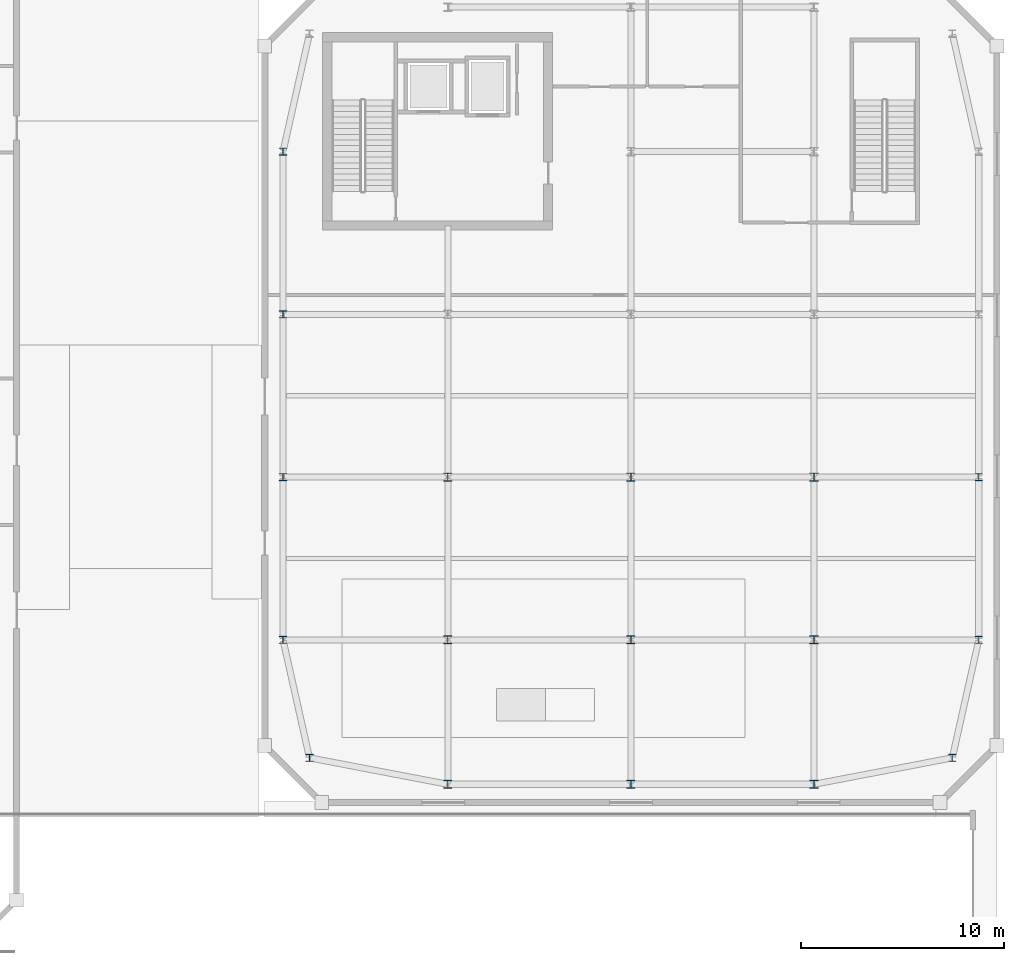
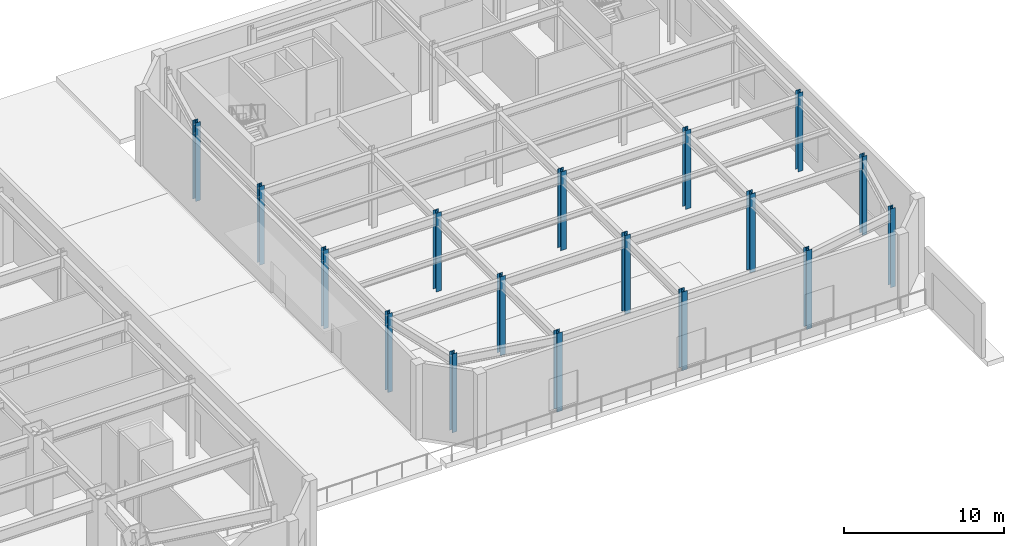
# One storey, part 6 of 23: 17 columns.
"""IFC4 building model written with IfcOpenShell, lengths in metres."""

import ifcopenshell
import ifcopenshell.guid

model = None  # the IFC model being written
_history = None  # IfcOwnerHistory: only IFC2X3 demands one
_inside = {}  # id of a spatial element -> (the spatial element, [elements in it])
_under = {}  # id of a project, library or spatial element -> (it, [spatial elements below it])
_declared = {}  # id of a project -> (the project, [libraries it declares])
_typed = {}  # id of a type object -> (the type object, [elements of that type])
_made_of = {}  # id of a material, layer set ... -> (it, [elements and type objects made of it])


def new_model(schema):
    """Start an empty IFC model of exactly this schema.

    Asked for "IFC4X3", IfcOpenShell would pick the latest addendum, in which some entities
    have other attributes; the version numbers below select the first issue.
    IFC2X3 requires an IfcOwnerHistory on every rooted entity: one is made here for all.
    """
    global model, _history
    if schema == "IFC4X3":
        model = ifcopenshell.file(schema_version=(4, 3, 0, 0))
    else:
        model = ifcopenshell.file(schema=schema)
    _inside.clear()
    _under.clear()
    _declared.clear()
    _typed.clear()
    _made_of.clear()
    _history = None
    if model.schema == "IFC2X3":
        org = make("IfcOrganization", Name="unknown")
        user = make(
            "IfcPersonAndOrganization",
            ThePerson=make("IfcPerson", FamilyName="unknown"),
            TheOrganization=org,
        )
        app = make(
            "IfcApplication",
            ApplicationDeveloper=org,
            Version="unknown",
            ApplicationFullName="unknown",
            ApplicationIdentifier="unknown",
        )
        _history = make(
            "IfcOwnerHistory",
            OwningUser=user,
            OwningApplication=app,
            ChangeAction="ADDED",
            CreationDate=0,
        )
    return model


def make(cls, **values):
    """One entity of the class cls with the attributes given. An attribute that is None is left unset."""
    return model.create_entity(
        cls, **{name: value for name, value in values.items() if value is not None}
    )


def rooted(cls, **values):
    """An entity with a GlobalId (a new one), such as an element, a storey or a relation."""
    return make(cls, GlobalId=ifcopenshell.guid.new(), OwnerHistory=_history, **values)


def si_unit(unit_type, name, prefix=None):
    """IfcSIUnit, for example si_unit("LENGTHUNIT", "METRE", prefix="MILLI")."""
    return make("IfcSIUnit", UnitType=unit_type, Prefix=prefix, Name=name)


def assignment(units):
    """IfcUnitAssignment: the units of a project."""
    return None if units is None else make("IfcUnitAssignment", Units=units)


def point(xyz):
    """IfcCartesianPoint."""
    return None if xyz is None else make("IfcCartesianPoint", Coordinates=xyz)


def direction(xyz):
    """IfcDirection."""
    return None if xyz is None else make("IfcDirection", DirectionRatios=xyz)


def frame(location, z_axis=None, x_axis=None):
    """IfcAxis2Placement3D, a coordinate frame: its origin and axes. An axis left out is left unset."""
    return make(
        "IfcAxis2Placement3D",
        Location=point(location),
        Axis=direction(z_axis),
        RefDirection=direction(x_axis),
    )


def frame_2d(location, x_axis=None):
    """IfcAxis2Placement2D, a coordinate frame in the plane: its origin and x axis."""
    return make(
        "IfcAxis2Placement2D", Location=point(location), RefDirection=direction(x_axis)
    )


def origin():
    """The frame at (0, 0, 0) with its axes left unset."""
    return frame((0.0, 0.0, 0.0))


def origin_2d():
    """The frame at (0, 0) in the plane with its x axis left unset."""
    return frame_2d((0.0, 0.0))


def place(relative_to, where):
    """IfcLocalPlacement: puts the frame where relative to a parent placement (None: the world)."""
    return make(
        "IfcLocalPlacement", PlacementRelTo=relative_to, RelativePlacement=where
    )


def context(
    kind, dimensions, precision=None, world=None, true_north=None, identifier=None
):
    """IfcGeometricRepresentationContext, for example the 3D "Model" context."""
    return make(
        "IfcGeometricRepresentationContext",
        ContextIdentifier=identifier,
        ContextType=kind,
        CoordinateSpaceDimension=dimensions,
        Precision=precision,
        WorldCoordinateSystem=world,
        TrueNorth=true_north,
    )


def subcontext(parent, identifier, kind, view, scale=None):
    """IfcGeometricRepresentationSubContext, for example "Body" below "Model"."""
    return make(
        "IfcGeometricRepresentationSubContext",
        ContextIdentifier=identifier,
        ContextType=kind,
        ParentContext=parent,
        TargetScale=scale,
        TargetView=view,
    )


def project(units=None, contexts=None):
    """IfcProject with its units and contexts."""
    return rooted(
        "IfcProject",
        Name="project",
        RepresentationContexts=contexts,
        UnitsInContext=assignment(units),
    )


def spatial(cls, under=None, at=None, **own):
    """A site, building, storey or space (cls), placed at a placement, below another one or the project."""
    s = rooted(cls, ObjectPlacement=at, **own)
    if under is not None:
        _under.setdefault(under.id(), (under, []))[1].append(s)
    return s


def profile(cls, at=None, kind="AREA", **sizes):
    """A parametric profile (cls). Its sizes go by their IFC names, for example OverallWidth=200.0."""
    return make(cls, ProfileType=kind, Position=at, **sizes)


def i_section(**sizes):
    """IfcIShapeProfileDef."""
    return profile("IfcIShapeProfileDef", **sizes)


def extrude(swept, where, along, depth):
    """IfcExtrudedAreaSolid: the profile swept, set in the frame where, extruded along a direction by depth."""
    return make(
        "IfcExtrudedAreaSolid",
        SweptArea=swept,
        Position=where,
        ExtrudedDirection=direction(along),
        Depth=depth,
    )


def shape(context_of_items, identifier, shape_type, items):
    """IfcShapeRepresentation: the items that make up one representation, for example the "Body"."""
    return make(
        "IfcShapeRepresentation",
        ContextOfItems=context_of_items,
        RepresentationIdentifier=identifier,
        RepresentationType=shape_type,
        Items=items,
    )


def material(Name=None, Category=None):
    """IfcMaterial."""
    return make("IfcMaterial", Name=Name, Category=Category)


def material_profile(
    of_material, cross_section, Name=None, Category=None, Priority=None
):
    """IfcMaterialProfile: a cross section and its material."""
    return make(
        "IfcMaterialProfile",
        Name=Name,
        Material=of_material,
        Profile=cross_section,
        Priority=Priority,
        Category=Category,
    )


def profile_set(profiles, Name=None, composite=None):
    """IfcMaterialProfileSet."""
    return make(
        "IfcMaterialProfileSet",
        Name=Name,
        MaterialProfiles=profiles,
        CompositeProfile=composite,
    )


def made_of(thing, what):
    """Note that an element or type object is made of a material, layer set ...; save() writes the relation."""
    if what is not None:
        _made_of.setdefault(what.id(), (what, []))[1].append(thing)
    return thing


def type_object(cls, material=None, **own):
    """A type object (cls), such as IfcWallType, which elements share."""
    return made_of(rooted(cls, **own), material)


def element(
    cls,
    number,
    at=None,
    inside=None,
    cuts=None,
    type_object=None,
    material=None,
    context=None,
    identifier="Body",
    shape_type=None,
    held_by="IfcProductDefinitionShape",
    body=None,
    shapes=None,
    **own,
):
    """One element of the class cls, such as IfcWall. Its Tag is "e" and its number.

    at: its placement. inside: the storey or other place that contains it. cuts: it is an
    opening in that element (IfcRelVoidsElement). A single representation is given by context,
    identifier, shape_type and body (its items); several are given by shapes. held_by: the class
    of the entity that holds the representations. save() writes the other relations.
    """
    e = rooted(cls, Tag="e%d" % number, ObjectPlacement=at, **own)
    if body is not None:
        shapes = [shape(context, identifier, shape_type, body)]
    if shapes is not None:
        e.Representation = make(held_by, Representations=shapes)
    if inside is not None:
        _inside.setdefault(inside.id(), (inside, []))[1].append(e)
    if cuts is not None:
        rooted(
            "IfcRelVoidsElement", RelatingBuildingElement=cuts, RelatedOpeningElement=e
        )
    if type_object is not None:
        _typed.setdefault(type_object.id(), (type_object, []))[1].append(e)
    return made_of(e, material)


def aggregate(whole, parts):
    """IfcRelAggregates: a whole, such as a stair, and the parts it consists of."""
    return rooted("IfcRelAggregates", RelatingObject=whole, RelatedObjects=parts)


def save(model, path):
    """Write the relations noted so far, then the file.

    IfcRelAggregates (storeys below a building ...), IfcRelContainedInSpatialStructure (elements
    in a storey), IfcRelDefinesByType, IfcRelAssociatesMaterial and IfcRelDeclares: one each for
    every whole, place, type object, material and project.
    """
    for whole, parts in _under.values():
        aggregate(whole, parts)
    for where, things in _inside.values():
        rooted(
            "IfcRelContainedInSpatialStructure",
            RelatedElements=things,
            RelatingStructure=where,
        )
    for kind, things in _typed.values():
        rooted("IfcRelDefinesByType", RelatedObjects=things, RelatingType=kind)
    for what, things in _made_of.values():
        rooted("IfcRelAssociatesMaterial", RelatedObjects=things, RelatingMaterial=what)
    for by, libraries in _declared.values():
        rooted("IfcRelDeclares", RelatingContext=by, RelatedDefinitions=libraries)
    model.write(path)


model = new_model("IFC4")

# Units and contexts
model_context = context("Model", 3, precision=1e-05, world=origin(), true_north=direction((0.0, 1.0)))
body_context = subcontext(model_context, "Body", "Model", "MODEL_VIEW")
ifc_project = project(units=[si_unit("LENGTHUNIT", "METRE"), si_unit("AREAUNIT", "SQUARE_METRE"), si_unit("VOLUMEUNIT", "CUBIC_METRE"), si_unit("PLANEANGLEUNIT", "RADIAN"), si_unit("MASSUNIT", "GRAM", prefix="KILO")], contexts=[model_context])

# Site, building, storey
site_placement = place(None, origin())
site = spatial("IfcSite", under=ifc_project, at=site_placement, CompositionType="ELEMENT")
building_placement = place(site_placement, origin())
building = spatial("IfcBuilding", under=site, at=building_placement, Name="Saevonmaru Cultural Tower", CompositionType="ELEMENT")
storey_placement = place(building_placement, origin())
storey = spatial("IfcBuildingStorey", under=building, at=storey_placement, Name="L00", CompositionType="ELEMENT", Elevation=0.0)

# Columns
ifc_material = material(Name="Steel SM355", Category="steel")
ifc_material_profile_1 = material_profile(ifc_material, i_section(OverallWidth=0.35009765625, OverallDepth=0.35009765625, WebThickness=0.011962890625, FlangeThickness=0.01904296875, FilletRadius=0.02001953125, at=origin_2d()), Name="H-350x350x12x19")
ifc_profile_set_1 = profile_set([ifc_material_profile_1], Name="Steel SM355")
column_type_1 = type_object("IfcColumnType", Name="COL-H-350", PredefinedType="COLUMN", material=ifc_profile_set_1)
for number, where, z_axis, x_axis, name in (
    (1, (74.39990234375, 10.199951171875, 0.0), (0.0, 0.0, 1.0), (1.0, 0.0, 0.0), "L00 Column LC-9-B"),
    (2, (73.10009765625, 16.0, 0.0), (0.0, 0.0, 1.0), (1.0, 0.0, 0.0), "L00 Column LC-9-C"),
    (3, (73.10009765625, 24.0, 0.0), (0.0, 0.0, 1.0), (1.0, 0.0, 0.0), "L00 Column LC-9-D"),
    (4, (73.10009765625, 32.0, 0.0), (0.0, 0.0, 1.0), (1.0, 0.0, 0.0), "L00 Column LC-9-E"),
    (5, (73.10009765625, 40.0, 0.0), (0.0, 0.0, 1.0), (1.0, 0.0, 0.0), "L00 Column LC-9-F"),
    (6, (106.0, 10.199951171875, 0.0), (0.0, 0.0, 1.0), (1.0, 0.0, 0.0), "L00 Column LC-13-B"),
    (7, (107.300048828125, 16.0, 0.0), (0.0, 0.0, 1.0), (1.0, 0.0, 0.0), "L00 Column LC-13-C"),
    (8, (107.300048828125, 24.0, 0.0), (0.0, 0.0, 1.0), (1.0, 0.0, 0.0), "L00 Column LC-13-D"),
):
    element("IfcColumn", number, at=place(storey_placement, frame(where, z_axis=z_axis, x_axis=x_axis)), inside=storey, type_object=column_type_1, Name=name, PredefinedType="COLUMN", context=body_context, shape_type="SweptSolid", body=[
        extrude(i_section(OverallWidth=0.35009765625, OverallDepth=0.35009765625, WebThickness=0.011962890625, FlangeThickness=0.01904296875, FilletRadius=0.02001953125, at=origin_2d()), origin(), (0.0, 0.0, 1.0), 6.0),
    ])
ifc_material_profile_2 = material_profile(ifc_material, i_section(OverallWidth=0.39990234375, OverallDepth=0.39990234375, WebThickness=0.012939453125, FlangeThickness=0.02099609375, FilletRadius=0.02197265625, at=origin_2d()), Name="H-400x400x13x21")
ifc_profile_set_2 = profile_set([ifc_material_profile_2], Name="Steel SM355")
column_type_2 = type_object("IfcColumnType", Name="COL-H-400", PredefinedType="COLUMN", material=ifc_profile_set_2)
for number, where, z_axis, x_axis, name in (
    (9, (81.199951171875, 8.89990234375, 0.0), (0.0, 0.0, 1.0), (1.0, 0.0, 0.0), "L00 Column LC-10-B"),
    (10, (81.199951171875, 16.0, 0.0), (0.0, 0.0, 1.0), (1.0, 0.0, 0.0), "L00 Column LC-10-C"),
    (11, (81.199951171875, 24.0, 0.0), (0.0, 0.0, 1.0), (1.0, 0.0, 0.0), "L00 Column LC-10-D"),
    (12, (90.199951171875, 8.89990234375, 0.0), (0.0, 0.0, 1.0), (1.0, 0.0, 0.0), "L00 Column LC-11-B"),
    (13, (90.199951171875, 16.0, 0.0), (0.0, 0.0, 1.0), (1.0, 0.0, 0.0), "L00 Column LC-11-C"),
    (14, (90.199951171875, 24.0, 0.0), (0.0, 0.0, 1.0), (1.0, 0.0, 0.0), "L00 Column LC-11-D"),
    (15, (99.199951171875, 8.89990234375, 0.0), (0.0, 0.0, 1.0), (1.0, 0.0, 0.0), "L00 Column LC-12-B"),
    (16, (99.199951171875, 16.0, 0.0), (0.0, 0.0, 1.0), (1.0, 0.0, 0.0), "L00 Column LC-12-C"),
    (17, (99.199951171875, 24.0, 0.0), (0.0, 0.0, 1.0), (1.0, 0.0, 0.0), "L00 Column LC-12-D"),
):
    element("IfcColumn", number, at=place(storey_placement, frame(where, z_axis=z_axis, x_axis=x_axis)), inside=storey, type_object=column_type_2, Name=name, PredefinedType="COLUMN", context=body_context, shape_type="SweptSolid", body=[
        extrude(i_section(OverallWidth=0.39990234375, OverallDepth=0.39990234375, WebThickness=0.012939453125, FlangeThickness=0.02099609375, FilletRadius=0.02197265625, at=origin_2d()), origin(), (0.0, 0.0, 1.0), 6.0),
    ])

save(model, "model.ifc")
